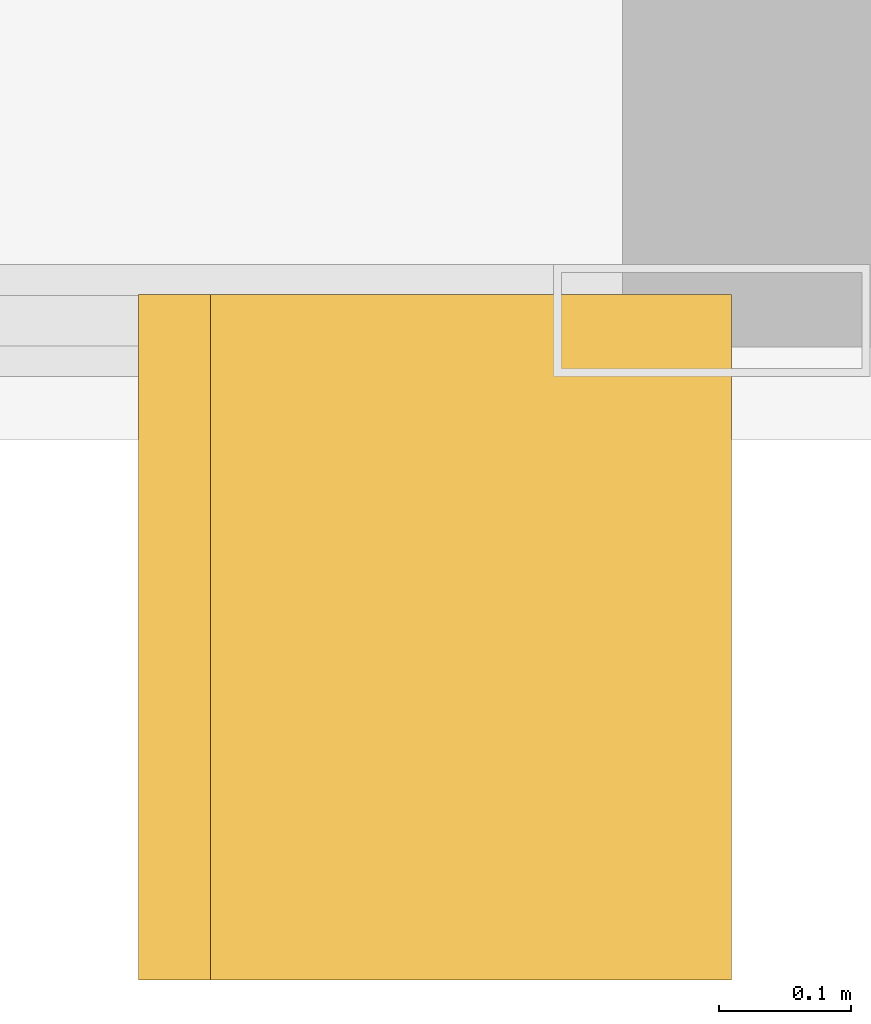
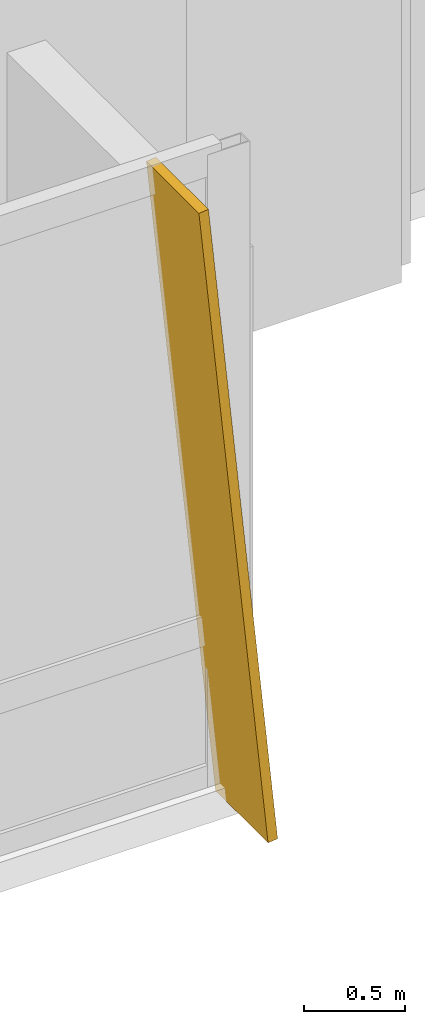
# One storey, part 35 of 35: 1 shading device.
"""IFC4 building model written with IfcOpenShell, lengths in metres."""

from ifc_helpers import new_model, si_unit, direction, frame, origin, place, context, subcontext, project, spatial, polyline, outline, extrude, material, layer, layer_set, type_object, element, save


model = new_model("IFC4")

# Units and contexts
model_context = context("Model", 3, precision=1e-05, world=origin(), true_north=direction((0.0, 1.0)))
body_context = subcontext(model_context, "Body", "Model", "MODEL_VIEW")
ifc_project = project(units=[si_unit("LENGTHUNIT", "METRE"), si_unit("AREAUNIT", "SQUARE_METRE"), si_unit("VOLUMEUNIT", "CUBIC_METRE"), si_unit("PLANEANGLEUNIT", "RADIAN"), si_unit("MASSUNIT", "GRAM", prefix="KILO")], contexts=[model_context])

# Site, building, storey
site_placement = place(None, origin())
site = spatial("IfcSite", under=ifc_project, at=site_placement, CompositionType="ELEMENT")
building_placement = place(site_placement, origin())
building = spatial("IfcBuilding", under=site, at=building_placement, Name="Khoronbel Lancet Exchange", CompositionType="ELEMENT")
storey_placement = place(building_placement, frame((0.0, 0.0, 69.800048828125)))
storey = spatial("IfcBuildingStorey", under=building, at=storey_placement, Name="L16", CompositionType="ELEMENT", Elevation=69.800048828125)

# Shading device
ifc_material = material(Name="Bronze-Anodised Aluminium 6063-T6", Category="aluminium")
ifc_layer = layer(ifc_material, 0.054931640625, Name="Bronze-Anodised Aluminium 6063-T6")
ifc_layer_set = layer_set([ifc_layer], Name="Bronze-Anodised Aluminium 6063-T6")
shading_device_type = type_object("IfcShadingDeviceType", Name="SHD-FIN1", PredefinedType="USERDEFINED", material=ifc_layer_set)
shading_device_placement = place(storey_placement, frame((67.9326171875, 7.31005859375, -0.080078125), z_axis=(0.995011517869, 0.0, 0.099760108806), x_axis=(0.0, -1.0, 0.0)))
element("IfcShadingDevice", 1, at=shading_device_placement, inside=storey, type_object=shading_device_type, Name="Slanted bronze solar fin CW-L16-SEV-1", ObjectType="FIN", PredefinedType="USERDEFINED", context=body_context, shape_type="SweptSolid", body=[
    extrude(outline(polyline([(0.0, 0.0), (0.52001953125, 0.0), (0.52001953125, -3.959716796875), (0.0, -3.959716796875), (0.0, 0.0)])), origin(), (0.0, 0.0, -1.0), 0.054931640625),
])

save(model, "model.ifc")
